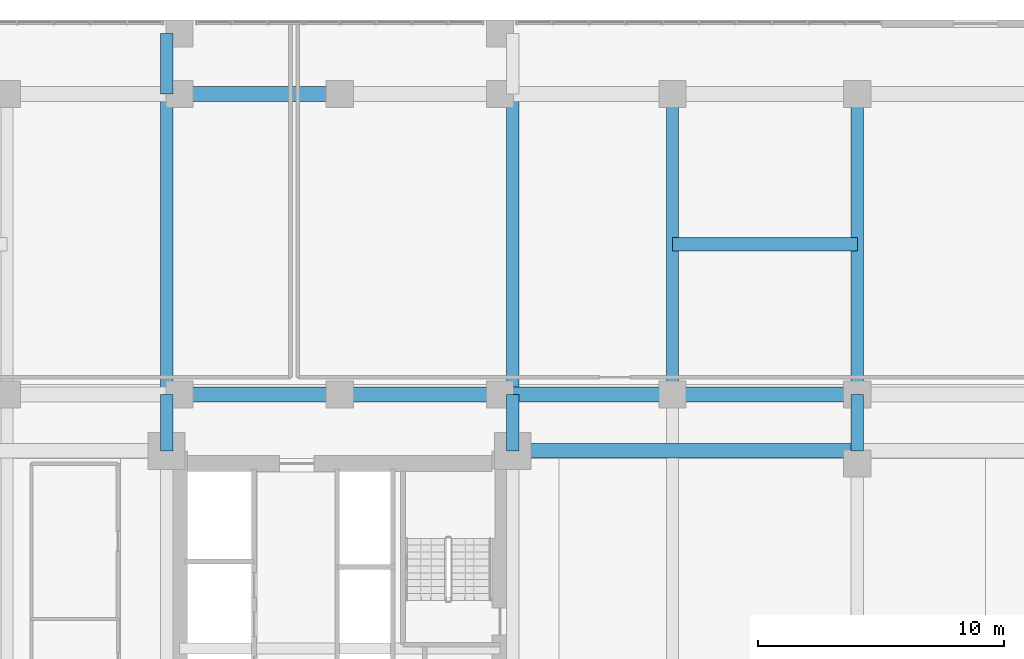
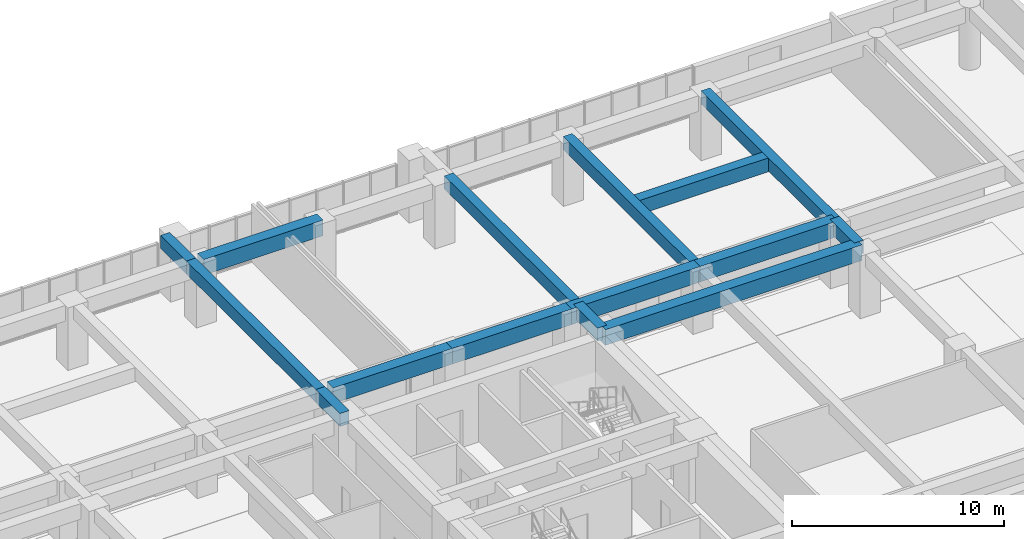
# One storey, part 9 of 27: 15 beams.
"""IFC4 building model written with IfcOpenShell, lengths in metres."""

from ifc_helpers import new_model, si_unit, direction, frame, origin, origin_2d, place, context, subcontext, project, spatial, rectangle, extrude, source, transform, mapped, material, material_profile, profile_set, type_object, element, save


model = new_model("IFC4")

# Units and contexts
model_context = context("Model", 3, precision=1e-05, world=origin(), true_north=direction((0.0, 1.0)))
body_context = subcontext(model_context, "Body", "Model", "MODEL_VIEW")
ifc_project = project(units=[si_unit("LENGTHUNIT", "METRE"), si_unit("AREAUNIT", "SQUARE_METRE"), si_unit("VOLUMEUNIT", "CUBIC_METRE"), si_unit("PLANEANGLEUNIT", "RADIAN"), si_unit("MASSUNIT", "GRAM", prefix="KILO")], contexts=[model_context])

# Site, building, storey
site_placement = place(None, origin())
site = spatial("IfcSite", under=ifc_project, at=site_placement, CompositionType="ELEMENT")
building_placement = place(site_placement, origin())
building = spatial("IfcBuilding", under=site, at=building_placement, Name="Saelheon Loggia Tower", CompositionType="ELEMENT")
storey_placement = place(building_placement, frame((0.0, 0.0, 4.199951171875)))
storey = spatial("IfcBuildingStorey", under=building, at=storey_placement, Name="L01", CompositionType="ELEMENT", Elevation=4.199951171875)

# Beams
ifc_material_1 = material(Name="Concrete C50/60", Category="concrete")
ifc_material_profile_1 = material_profile(ifc_material_1, rectangle(XDim=0.60009765625, YDim=0.89990234375, at=origin_2d()), Name="RC-600x900")
ifc_profile_set_1 = profile_set([ifc_material_profile_1], Name="Concrete C50/60")
beam_type_1 = type_object("IfcBeamType", Name="Beam_MainGirder_RC600x900", PredefinedType="BEAM", material=ifc_profile_set_1)
shared_shape_1 = source(origin(), body_context, "Body", "SweptSolid", [
    extrude(rectangle(XDim=0.60009765625, YDim=0.89990234375, at=origin_2d()), origin(), (0.0, 0.0, 1.0), 7.5),
])
beam_1_placement = place(storey_placement, frame((51.5, 38.800048828125, 3.150146484375), z_axis=(1.0, 0.0, 0.0), x_axis=(0.0, 1.0, 0.0)))
element("IfcBeam", 1, at=beam_1_placement, inside=storey, type_object=beam_type_1, Name="BM-L01-EW-38-7", PredefinedType="BEAM", context=body_context, shape_type="MappedRepresentation", body=[
    mapped(shared_shape_1, transform((0.0, 0.0, 0.0), scale=1.0)),
])
shared_shape_2 = source(origin(), body_context, "Body", "SweptSolid", [
    extrude(rectangle(XDim=0.60009765625, YDim=0.89990234375, at=origin_2d()), origin(), (0.0, 0.0, 1.0), 7.0),
])
beam_2_placement = place(storey_placement, frame((44.5, 38.800048828125, 3.150146484375), z_axis=(1.0, 0.0, 0.0), x_axis=(0.0, 1.0, 0.0)))
element("IfcBeam", 2, at=beam_2_placement, inside=storey, type_object=beam_type_1, Name="BM-L01-EW-38-6", PredefinedType="BEAM", context=body_context, shape_type="MappedRepresentation", body=[
    mapped(shared_shape_2, transform((0.0, 0.0, 0.0), scale=1.0)),
])
shared_shape_3 = source(origin(), body_context, "Body", "SweptSolid", [
    extrude(rectangle(XDim=0.60009765625, YDim=0.89990234375, at=origin_2d()), origin(), (0.0, 0.0, 1.0), 6.5),
])
for number, where, z_axis, x_axis, name in (
    (3, (31.5, 38.800048828125, 3.150146484375), (1.0, 0.0, 0.0), (0.0, 1.0, 0.0), "BM-L01-EW-38-4"),
    (4, (38.0, 38.800048828125, 3.150146484375), (1.0, 0.0, 0.0), (0.0, 1.0, 0.0), "BM-L01-EW-38-5"),
    (5, (31.5, 51.0, 3.150146484375), (1.0, 0.0, 0.0), (0.0, 1.0, 0.0), "BM-L01-EW-51-5"),
):
    element("IfcBeam", number, at=place(storey_placement, frame(where, z_axis=z_axis, x_axis=x_axis)), inside=storey, type_object=beam_type_1, Name=name, PredefinedType="BEAM", context=body_context, shape_type="MappedRepresentation", body=[
        mapped(shared_shape_3, transform((0.0, 0.0, 0.0), scale=1.0)),
    ])
shared_shape_4 = source(origin(), body_context, "Body", "SweptSolid", [
    extrude(rectangle(XDim=0.60009765625, YDim=0.89990234375, at=origin_2d()), origin(), (0.0, 0.0, 1.0), 13.97998046875),
])
beam_3_placement = place(storey_placement, frame((45.02001953125, 36.52001953125, 3.150146484375), z_axis=(1.0, 0.0, 0.0), x_axis=(0.0, 1.0, 0.0)))
element("IfcBeam", 6, at=beam_3_placement, inside=storey, type_object=beam_type_1, Name="BM-L01-CT-36-E2", PredefinedType="BEAM", context=body_context, shape_type="MappedRepresentation", body=[
    mapped(shared_shape_4, transform((0.0, 0.0, 0.0), scale=1.0)),
])
ifc_material_2 = material(Name="Concrete C45/55", Category="concrete")
ifc_material_profile_2 = material_profile(ifc_material_2, rectangle(XDim=0.5, YDim=0.75, at=origin_2d()), Name="RC-500x750")
ifc_profile_set_2 = profile_set([ifc_material_profile_2], Name="Concrete C45/55")
beam_type_2 = type_object("IfcBeamType", Name="Beam_FloorGirder_RC500x750", PredefinedType="BEAM", material=ifc_profile_set_2)
shared_shape_5 = source(origin(), body_context, "Body", "SweptSolid", [
    extrude(rectangle(XDim=0.5, YDim=0.75, at=origin_2d()), origin(), (0.0, 0.0, 1.0), 12.199951171875),
])
for number, where, z_axis, x_axis, name in (
    (7, (30.97998046875, 38.800048828125, 3.22509765625), (0.0, 1.0, 0.0), (-1.0, 0.0, 0.0), "BM-L01-NS-30-6"),
    (8, (45.02001953125, 38.800048828125, 3.22509765625), (0.0, 1.0, 0.0), (-1.0, 0.0, 0.0), "BM-L01-NS-45-6"),
    (9, (51.5, 38.800048828125, 3.22509765625), (0.0, 1.0, 0.0), (-1.0, 0.0, 0.0), "BM-L01-NS-51-3"),
    (10, (59.0, 38.800048828125, 3.22509765625), (0.0, 1.0, 0.0), (-1.0, 0.0, 0.0), "BM-L01-NS-59-6"),
):
    element("IfcBeam", number, at=place(storey_placement, frame(where, z_axis=z_axis, x_axis=x_axis)), inside=storey, type_object=beam_type_2, Name=name, PredefinedType="BEAM", context=body_context, shape_type="MappedRepresentation", body=[
        mapped(shared_shape_5, transform((0.0, 0.0, 0.0), scale=1.0)),
    ])
shared_shape_6 = source(origin(), body_context, "Body", "SweptSolid", [
    extrude(rectangle(XDim=0.5, YDim=0.75, at=origin_2d()), origin(), (0.0, 0.0, 1.0), 2.280029296875),
])
for number, where, z_axis, x_axis, name in (
    (11, (30.97998046875, 36.52001953125, 3.22509765625), (0.0, 1.0, 0.0), (-1.0, 0.0, 0.0), "BM-L01-NS-30-5"),
    (12, (45.02001953125, 36.52001953125, 3.22509765625), (0.0, 1.0, 0.0), (-1.0, 0.0, 0.0), "BM-L01-NS-45-5"),
    (13, (59.0, 36.52001953125, 3.22509765625), (0.0, 1.0, 0.0), (-1.0, 0.0, 0.0), "BM-L01-NS-59-5"),
):
    element("IfcBeam", number, at=place(storey_placement, frame(where, z_axis=z_axis, x_axis=x_axis)), inside=storey, type_object=beam_type_2, Name=name, PredefinedType="BEAM", context=body_context, shape_type="MappedRepresentation", body=[
        mapped(shared_shape_6, transform((0.0, 0.0, 0.0), scale=1.0)),
    ])
shared_shape_7 = source(origin(), body_context, "Body", "SweptSolid", [
    extrude(rectangle(XDim=0.5, YDim=0.75, at=origin_2d()), origin(), (0.0, 0.0, 1.0), 2.449951171875),
])
beam_4_placement = place(storey_placement, frame((30.97998046875, 51.0, 3.22509765625), z_axis=(0.0, 1.0, 0.0), x_axis=(-1.0, 0.0, 0.0)))
element("IfcBeam", 14, at=beam_4_placement, inside=storey, type_object=beam_type_2, Name="BM-L01-NS-30-7", PredefinedType="BEAM", context=body_context, shape_type="MappedRepresentation", body=[
    mapped(shared_shape_7, transform((0.0, 0.0, 0.0), scale=1.0)),
])
ifc_material_profile_3 = material_profile(ifc_material_2, rectangle(XDim=0.550048828125, YDim=0.800048828125, at=origin_2d()), Name="RC-550x800")
ifc_profile_set_3 = profile_set([ifc_material_profile_3], Name="Concrete C45/55")
beam_type_3 = type_object("IfcBeamType", Name="Beam_ClinicGirder_RC550x800", PredefinedType="BEAM", material=ifc_profile_set_3)
shared_shape_8 = source(origin(), body_context, "Body", "SweptSolid", [
    extrude(rectangle(XDim=0.550048828125, YDim=0.800048828125, at=origin_2d()), origin(), (0.0, 0.0, 1.0), 7.5),
])
beam_5_placement = place(storey_placement, frame((51.5, 44.89990234375, 3.199951171875), z_axis=(1.0, 0.0, 0.0), x_axis=(0.0, 1.0, 0.0)))
element("IfcBeam", 15, at=beam_5_placement, inside=storey, type_object=beam_type_3, Name="JST-L01-CL-NE", PredefinedType="BEAM", context=body_context, shape_type="MappedRepresentation", body=[
    mapped(shared_shape_8, transform((0.0, 0.0, 0.0), scale=1.0)),
])

save(model, "model.ifc")
